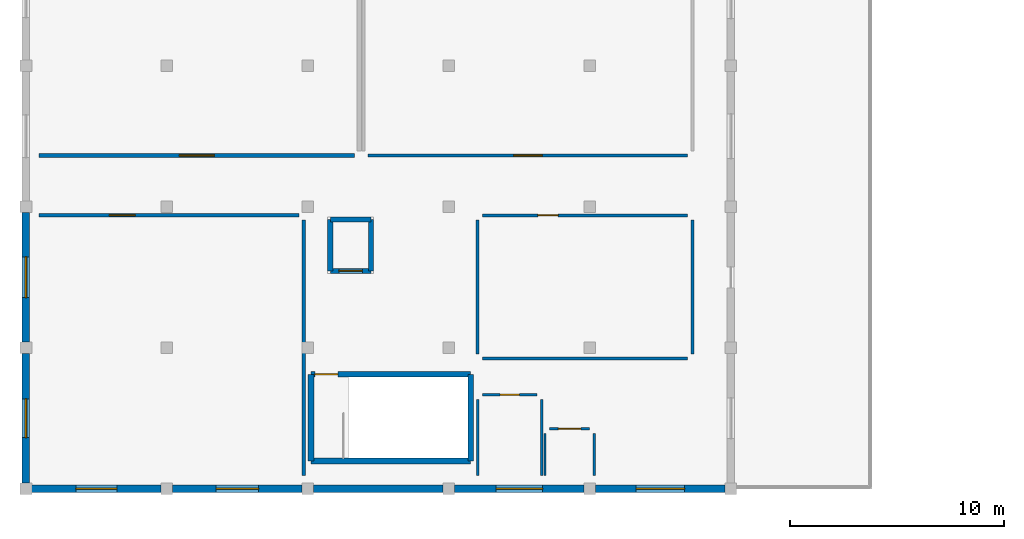
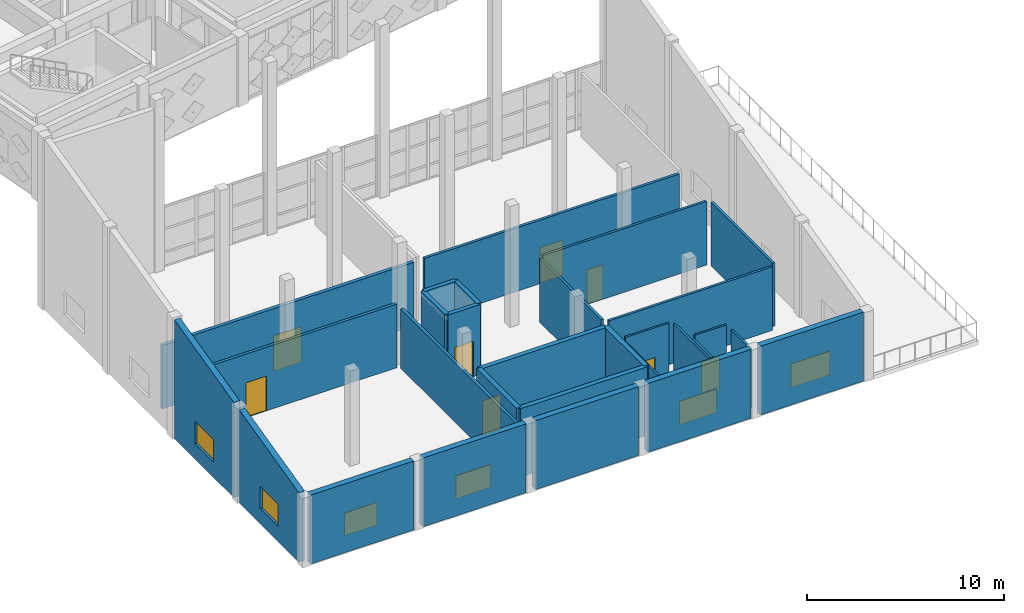
# One storey, part 27 of 39: 29 walls, 8 doors, 6 windows, 14 openings.
"""IFC4 building model written with IfcOpenShell, lengths in metres."""

from ifc_helpers import new_model, si_unit, direction, frame, frame_2d, origin, place, context, subcontext, project, spatial, polyline, rectangle, outline, extrude, material, layer, layer_set, type_object, element, fill, save


model = new_model("IFC4")

# Units and contexts
model_context = context("Model", 3, precision=1e-05, world=origin(), true_north=direction((0.0, 1.0)))
body_context = subcontext(model_context, "Body", "Model", "MODEL_VIEW")
ifc_project = project(units=[si_unit("LENGTHUNIT", "METRE"), si_unit("AREAUNIT", "SQUARE_METRE"), si_unit("VOLUMEUNIT", "CUBIC_METRE"), si_unit("PLANEANGLEUNIT", "RADIAN"), si_unit("MASSUNIT", "GRAM", prefix="KILO")], contexts=[model_context])

# Site, building, storey
site_placement = place(None, origin())
site = spatial("IfcSite", under=ifc_project, at=site_placement, CompositionType="ELEMENT")
building_placement = place(site_placement, origin())
building = spatial("IfcBuilding", under=site, at=building_placement, Name="Kharisveld Research Institute", CompositionType="ELEMENT")
storey_placement = place(building_placement, frame((0.0, 0.0, 18.60009765625)))
storey = spatial("IfcBuildingStorey", under=building, at=storey_placement, Name="L04", CompositionType="ELEMENT", Elevation=18.60009765625)

# Wall, opening, door
ifc_material_1 = material(Name="Flush Pharmaceutical Panel", Category="mineral")
ifc_layer_1 = layer(ifc_material_1, 0.155029296875)
ifc_layer_set_1 = layer_set([ifc_layer_1], Name="WL_CLN_155")
wall_type_1 = type_object("IfcWallType", Name="WL_CLN_155", PredefinedType="PARTITIONING", material=ifc_layer_set_1)
wall_1_placement = place(storey_placement, frame((16.6201171875, 15.800048828125, 0.0), z_axis=(0.0, 0.0, 1.0), x_axis=(1.0, 0.0, 0.0)))
wall_1 = element("IfcWall", 1, at=wall_1_placement, inside=storey, type_object=wall_type_1, Name="WL:RM:V3:L04:BSL:S", PredefinedType="PARTITIONING", context=body_context, shape_type="SweptSolid", body=[
    extrude(rectangle(XDim=14.9599609375, YDim=0.155029296875, at=frame_2d((7.47998046875, 0.0))), origin(), (0.0, 0.0, 1.0), 3.949951171875),
])
opening_1_placement = place(wall_1_placement, frame((6.81005859375, 0.0, 0.0)))
opening_1 = element("IfcOpeningElement", 2, at=opening_1_placement, cuts=wall_1, Name="Opening DI-297", PredefinedType="OPENING", context=body_context, shape_type="SweptSolid", body=[
    extrude(rectangle(XDim=1.340087890625, YDim=2.199951171875, at=frame_2d((0.669921875, 1.10009765625))), frame((0.0, 0.07763671875, 0.0), z_axis=(0.0, -1.0, 0.0), x_axis=(1.0, 0.0, 0.0)), (0.0, 0.0, 1.0), 0.155029296875),
])
ifc_material_2 = material(Name="Flush Painted Hardwood and Anodised Aluminium", Category="wood")
door_type_1 = type_object("IfcDoorType", Name="DR_CLN_134", OperationType="SLIDING_TO_RIGHT", PredefinedType="DOOR", material=ifc_material_2)
door_1_placement = place(opening_1_placement, origin())
door_1 = element("IfcDoor", 3, at=door_1_placement, inside=storey, type_object=door_type_1, Name="DR:RM:V3:L04:BSL:S", OperationType="SLIDING_TO_RIGHT", OverallHeight=2.199951171875, OverallWidth=1.340087890625, PredefinedType="DOOR", context=body_context, shape_type="SweptSolid", body=[
    extrude(rectangle(XDim=1.340087890625, YDim=2.199951171875, at=frame_2d((0.669921875, 1.10009765625))), frame((0.0, 0.02490234375, 0.0), z_axis=(0.0, -1.0, 0.0), x_axis=(1.0, 0.0, 0.0)), (0.0, 0.0, 1.0), 0.050048828125),
])
fill(opening_1, door_1)

# Walls
ifc_material_3 = material(Name="Concrete C40/50", Category="concrete")
ifc_layer_2 = layer(ifc_material_3, 0.239990234375)
ifc_layer_set_2 = layer_set([ifc_layer_2], Name="WL_CORE_240")
wall_type_2 = type_object("IfcWallType", Name="WL_CORE_240", PredefinedType="SHEAR", material=ifc_layer_set_2)
wall_2_placement = place(storey_placement, frame((14.85009765625, 10.39990234375, 0.0), z_axis=(0.0, 0.0, 1.0), x_axis=(0.0, 1.0, 0.0)))
element("IfcWall", 4, at=wall_2_placement, inside=storey, type_object=wall_type_2, Name="WL:LFT:PL-03:L04:W", PredefinedType="SHEAR", context=body_context, shape_type="SweptSolid", body=[
    extrude(rectangle(XDim=2.400146484375, YDim=0.239990234375, at=frame_2d((1.2001953125, 0.0))), origin(), (0.0, 0.0, 1.0), 4.349853515625),
])
wall_3_placement = place(storey_placement, frame((14.85009765625, 12.800048828125, 0.0), z_axis=(0.0, 0.0, 1.0), x_axis=(1.0, 0.0, 0.0)))
element("IfcWall", 5, at=wall_3_placement, inside=storey, type_object=wall_type_2, Name="WL:LFT:PL-03:L04:N", PredefinedType="SHEAR", context=body_context, shape_type="SweptSolid", body=[
    extrude(rectangle(XDim=1.89990234375, YDim=0.239990234375, at=frame_2d((0.949951171875, 0.0))), origin(), (0.0, 0.0, 1.0), 4.349853515625),
])
wall_4_placement = place(storey_placement, frame((16.75, 12.800048828125, 0.0), z_axis=(0.0, 0.0, 1.0), x_axis=(0.0, -1.0, 0.0)))
element("IfcWall", 6, at=wall_4_placement, inside=storey, type_object=wall_type_2, Name="WL:LFT:PL-03:L04:E", PredefinedType="SHEAR", context=body_context, shape_type="SweptSolid", body=[
    extrude(rectangle(XDim=2.400146484375, YDim=0.239990234375, at=frame_2d((1.2001953125, 0.0))), origin(), (0.0, 0.0, 1.0), 4.349853515625),
])

# Wall, opening, door
wall_5_placement = place(storey_placement, frame((16.75, 10.39990234375, 0.0), z_axis=(0.0, 0.0, 1.0), x_axis=(-1.0, 0.0, 0.0)))
wall_5 = element("IfcWall", 7, at=wall_5_placement, inside=storey, type_object=wall_type_2, Name="WL:LFT:PL-03:L04:S", PredefinedType="SHEAR", context=body_context, shape_type="SweptSolid", body=[
    extrude(rectangle(XDim=1.89990234375, YDim=0.239990234375, at=frame_2d((0.949951171875, 0.0))), origin(), (0.0, 0.0, 1.0), 4.349853515625),
])
opening_2_placement = place(wall_5_placement, frame((0.39990234375, 0.0, 0.0)))
opening_2 = element("IfcOpeningElement", 8, at=opening_2_placement, cuts=wall_5, Name="Opening LD-01", PredefinedType="OPENING", context=body_context, shape_type="SweptSolid", body=[
    extrude(rectangle(XDim=1.10009765625, YDim=2.199951171875, at=frame_2d((0.550048828125, 1.10009765625))), frame((0.0, 0.1201171875, 0.0), z_axis=(0.0, -1.0, 0.0), x_axis=(1.0, 0.0, 0.0)), (0.0, 0.0, 1.0), 0.239990234375),
])
ifc_material_4 = material(Name="Flush Painted Hardwood and Anodised Aluminium", Category="wood")
door_type_2 = type_object("IfcDoorType", Name="DR_LFT_110", OperationType="SLIDING_TO_LEFT", PredefinedType="DOOR", material=ifc_material_4)
door_2_placement = place(opening_2_placement, origin())
door_2 = element("IfcDoor", 9, at=door_2_placement, inside=storey, type_object=door_type_2, Name="PL-03 Lift Landing Door L04", OperationType="SLIDING_TO_LEFT", OverallHeight=2.199951171875, OverallWidth=1.10009765625, PredefinedType="DOOR", context=body_context, shape_type="SweptSolid", body=[
    extrude(rectangle(XDim=1.10009765625, YDim=2.199951171875, at=frame_2d((0.550048828125, 1.10009765625))), frame((0.0, 0.02490234375, 0.0), z_axis=(0.0, -1.0, 0.0), x_axis=(1.0, 0.0, 0.0)), (0.0, 0.0, 1.0), 0.050048828125),
])
fill(opening_2, door_2)

# Wall
ifc_material_5 = material(Name="Concrete C40/50", Category="concrete")
ifc_layer_3 = layer(ifc_material_5, 0.27001953125)
ifc_layer_set_3 = layer_set([ifc_layer_3], Name="WL_CORE_270")
wall_type_3 = type_object("IfcWallType", Name="WL_CORE_270", PredefinedType="SHEAR", material=ifc_layer_set_3)
wall_6_placement = place(storey_placement, frame((13.949951171875, 1.5, 0.0), z_axis=(0.0, 0.0, 1.0), x_axis=(0.0, 1.0, 0.0)))
element("IfcWall", 10, at=wall_6_placement, inside=storey, type_object=wall_type_3, Name="WL:STR:ST4:L04:W", PredefinedType="SHEAR", context=body_context, shape_type="SweptSolid", body=[
    extrude(rectangle(XDim=4.06005859375, YDim=0.27001953125, at=frame_2d((2.030029296875, 0.0))), origin(), (0.0, 0.0, 1.0), 4.25),
])

# Wall, opening, door
wall_7_placement = place(storey_placement, frame((13.949951171875, 5.56005859375, 0.0), z_axis=(0.0, 0.0, 1.0), x_axis=(1.0, 0.0, 0.0)))
wall_7 = element("IfcWall", 11, at=wall_7_placement, inside=storey, type_object=wall_type_3, Name="WL:STR:ST4:L04:N", PredefinedType="SHEAR", context=body_context, shape_type="SweptSolid", body=[
    extrude(rectangle(XDim=7.469970703125, YDim=0.27001953125, at=frame_2d((3.73486328125, 0.0))), origin(), (0.0, 0.0, 1.0), 4.25),
])
opening_3_placement = place(wall_7_placement, frame((0.179931640625, 0.0, 0.0)))
opening_3 = element("IfcOpeningElement", 12, at=opening_3_placement, cuts=wall_7, Name="Opening DS-041", PredefinedType="OPENING", context=body_context, shape_type="SweptSolid", body=[
    extrude(rectangle(XDim=1.080078125, YDim=2.14990234375, at=frame_2d((0.5400390625, 1.074951171875))), frame((0.0, 0.135009765625, 0.0), z_axis=(0.0, -1.0, 0.0), x_axis=(1.0, 0.0, 0.0)), (0.0, 0.0, 1.0), 0.27001953125),
])
ifc_material_6 = material(Name="Flush Painted Hardwood and Anodised Aluminium", Category="wood")
door_type_3 = type_object("IfcDoorType", Name="DR_FD60_108", OperationType="NOTDEFINED", PredefinedType="DOOR", material=ifc_material_6)
door_3_placement = place(opening_3_placement, origin())
door_3 = element("IfcDoor", 13, at=door_3_placement, inside=storey, type_object=door_type_3, Name="DR:STR:ST4:L04", OperationType="SINGLE_SWING_RIGHT", OverallHeight=2.14990234375, OverallWidth=1.080078125, PredefinedType="DOOR", context=body_context, shape_type="SweptSolid", body=[
    extrude(rectangle(XDim=1.080078125, YDim=2.14990234375, at=frame_2d((0.5400390625, 1.074951171875))), frame((0.0, 0.02490234375, 0.0), z_axis=(0.0, -1.0, 0.0), x_axis=(1.0, 0.0, 0.0)), (0.0, 0.0, 1.0), 0.050048828125),
])
fill(opening_3, door_3)

# Walls
wall_8_placement = place(storey_placement, frame((21.419921875, 5.56005859375, 0.0), z_axis=(0.0, 0.0, 1.0), x_axis=(0.0, -1.0, 0.0)))
element("IfcWall", 14, at=wall_8_placement, inside=storey, type_object=wall_type_3, Name="WL:STR:ST4:L04:E", PredefinedType="SHEAR", context=body_context, shape_type="SweptSolid", body=[
    extrude(rectangle(XDim=4.06005859375, YDim=0.27001953125, at=frame_2d((2.030029296875, 0.0))), origin(), (0.0, 0.0, 1.0), 4.25),
])
wall_9_placement = place(storey_placement, frame((21.419921875, 1.5, 0.0), z_axis=(0.0, 0.0, 1.0), x_axis=(-1.0, 0.0, 0.0)))
element("IfcWall", 15, at=wall_9_placement, inside=storey, type_object=wall_type_3, Name="WL:STR:ST4:L04:S", PredefinedType="SHEAR", context=body_context, shape_type="SweptSolid", body=[
    extrude(rectangle(XDim=7.469970703125, YDim=0.27001953125, at=frame_2d((3.73486328125, 0.0))), origin(), (0.0, 0.0, 1.0), 4.25),
])

# Wall, opening, window
ifc_material_7 = material(Name="Concrete C35/45", Category="concrete")
ifc_layer_4 = layer(ifc_material_7, 0.340087890625)
ifc_layer_set_4 = layer_set([ifc_layer_4], Name="WL_EXT_340")
wall_type_4 = type_object("IfcWallType", Name="WL_EXT_340", PredefinedType="SOLIDWALL", material=ifc_layer_set_4)
wall_10_placement = place(storey_placement, frame((0.60009765625, 0.469970703125, 0.0), z_axis=(0.0, 0.0, 1.0), x_axis=(0.0, 1.0, 0.0)))
wall_10 = element("IfcWall", 16, at=wall_10_placement, inside=storey, type_object=wall_type_4, Name="WL:V3:L04:W0", PredefinedType="SOLIDWALL", context=body_context, shape_type="SweptSolid", body=[
    extrude(outline(polyline([(0.0, 0.0), (6.06005859375, 0.0), (6.06005859375, 5.784423828125), (0.0, 4.3154296875), (0.0, 0.0)])), frame((0.0, 0.169921875, 0.0), z_axis=(0.0, -1.0, 0.0), x_axis=(1.0, 0.0, 0.0)), (0.0, 0.0, 1.0), 0.340087890625),
])
opening_4_placement = place(wall_10_placement, frame((2.1201171875, 0.0, 0.949951171875)))
opening_4 = element("IfcOpeningElement", 17, at=opening_4_placement, cuts=wall_10, Name="Opening WN-28", PredefinedType="OPENING", context=body_context, shape_type="SweptSolid", body=[
    extrude(rectangle(XDim=1.820068359375, YDim=1.3798828125, at=frame_2d((0.91015625, 0.68994140625))), frame((0.0, 0.169921875, 0.0), z_axis=(0.0, -1.0, 0.0), x_axis=(1.0, 0.0, 0.0)), (0.0, 0.0, 1.0), 0.340087890625),
])
ifc_material_8 = material(Name="Low-E Double Glazing", Category="glass")
window_type_1 = type_object("IfcWindowType", Name="WN_28", PartitioningType="DOUBLE_PANEL_VERTICAL", PredefinedType="WINDOW", material=ifc_material_8)
window_1_placement = place(opening_4_placement, origin())
window_1 = element("IfcWindow", 18, at=window_1_placement, inside=storey, type_object=window_type_1, Name="WN:V3:L04:W0", OverallHeight=1.3798828125, OverallWidth=1.820068359375, PartitioningType="SINGLE_PANEL", PredefinedType="WINDOW", context=body_context, shape_type="SweptSolid", body=[
    extrude(rectangle(XDim=1.820068359375, YDim=1.3798828125, at=frame_2d((0.91015625, 0.68994140625))), frame((0.0, 0.030029296875, 0.0), z_axis=(0.0, -1.0, 0.0), x_axis=(1.0, 0.0, 0.0)), (0.0, 0.0, 1.0), 0.06005859375),
])
fill(opening_4, window_1)

wall_11_placement = place(storey_placement, frame((0.60009765625, 7.070068359375, 0.0), z_axis=(0.0, 0.0, 1.0), x_axis=(0.0, 1.0, 0.0)))
wall_11 = element("IfcWall", 19, at=wall_11_placement, inside=storey, type_object=wall_type_4, Name="WL:V3:L04:W1", PredefinedType="SOLIDWALL", context=body_context, shape_type="SweptSolid", body=[
    extrude(outline(polyline([(0.0, 0.0), (6.059814453125, 0.0), (6.06005859375, 7.384521484375), (0.0, 5.915283203125), (0.0, 0.0)])), frame((0.0, 0.169921875, 0.0), z_axis=(0.0, -1.0, 0.0), x_axis=(1.0, 0.0, 0.0)), (0.0, 0.0, 1.0), 0.340087890625),
])
opening_5_placement = place(wall_11_placement, frame((2.074951171875, 0.0, 0.949951171875)))
opening_5 = element("IfcOpeningElement", 20, at=opening_5_placement, cuts=wall_11, Name="Opening WN-29", PredefinedType="OPENING", context=body_context, shape_type="SweptSolid", body=[
    extrude(rectangle(XDim=1.909912109375, YDim=1.39990234375, at=frame_2d((0.955078125, 0.699951171875))), frame((0.0, 0.169921875, 0.0), z_axis=(0.0, -1.0, 0.0), x_axis=(1.0, 0.0, 0.0)), (0.0, 0.0, 1.0), 0.340087890625),
])
ifc_material_9 = material(Name="Low-E Double Glazing", Category="glass")
window_type_2 = type_object("IfcWindowType", Name="WN_29", PartitioningType="DOUBLE_PANEL_VERTICAL", PredefinedType="WINDOW", material=ifc_material_9)
window_2_placement = place(opening_5_placement, origin())
window_2 = element("IfcWindow", 21, at=window_2_placement, inside=storey, type_object=window_type_2, Name="WN:V3:L04:W1", OverallHeight=1.39990234375, OverallWidth=1.909912109375, PartitioningType="SINGLE_PANEL", PredefinedType="WINDOW", context=body_context, shape_type="SweptSolid", body=[
    extrude(rectangle(XDim=1.909912109375, YDim=1.39990234375, at=frame_2d((0.955078125, 0.699951171875))), frame((0.0, 0.030029296875, 0.0), z_axis=(0.0, -1.0, 0.0), x_axis=(1.0, 0.0, 0.0)), (0.0, 0.0, 1.0), 0.06005859375),
])
fill(opening_5, window_2)

wall_12_placement = place(storey_placement, frame((33.330078125, 0.199951171875, 0.0), z_axis=(0.0, 0.0, 1.0), x_axis=(-1.0, 0.0, 0.0)))
wall_12 = element("IfcWall", 22, at=wall_12_placement, inside=storey, type_object=wall_type_4, Name="WL:V3:L04:S5", PredefinedType="SOLIDWALL", context=body_context, shape_type="SweptSolid", body=[
    extrude(rectangle(XDim=6.06005859375, YDim=0.340087890625, at=frame_2d((3.030029296875, 0.0))), origin(), (0.0, 0.0, 1.0), 4.27978515625),
])
opening_6_placement = place(wall_12_placement, frame((1.89501953125, 0.0, 0.949951171875)))
opening_6 = element("IfcOpeningElement", 23, at=opening_6_placement, cuts=wall_12, Name="Opening WN-33", PredefinedType="OPENING", context=body_context, shape_type="SweptSolid", body=[
    extrude(rectangle(XDim=2.27001953125, YDim=1.47998046875, at=frame_2d((1.135009765625, 0.739990234375))), frame((0.0, 0.169921875, 0.0), z_axis=(0.0, -1.0, 0.0), x_axis=(1.0, 0.0, 0.0)), (0.0, 0.0, 1.0), 0.340087890625),
])
ifc_material_10 = material(Name="Low-E Double Glazing", Category="glass")
window_type_3 = type_object("IfcWindowType", Name="WN_33", PartitioningType="DOUBLE_PANEL_VERTICAL", PredefinedType="WINDOW", material=ifc_material_10)
window_3_placement = place(opening_6_placement, origin())
window_3 = element("IfcWindow", 24, at=window_3_placement, inside=storey, type_object=window_type_3, Name="WN:V3:L04:S5", OverallHeight=1.47998046875, OverallWidth=2.27001953125, PartitioningType="SINGLE_PANEL", PredefinedType="WINDOW", context=body_context, shape_type="SweptSolid", body=[
    extrude(rectangle(XDim=2.27001953125, YDim=1.47998046875, at=frame_2d((1.135009765625, 0.739990234375))), frame((0.0, 0.030029296875, 0.0), z_axis=(0.0, -1.0, 0.0), x_axis=(1.0, 0.0, 0.0)), (0.0, 0.0, 1.0), 0.06005859375),
])
fill(opening_6, window_3)

wall_13_placement = place(storey_placement, frame((26.72998046875, 0.199951171875, 0.0), z_axis=(0.0, 0.0, 1.0), x_axis=(-1.0, 0.0, 0.0)))
wall_13 = element("IfcWall", 25, at=wall_13_placement, inside=storey, type_object=wall_type_4, Name="WL:V3:L04:S4", PredefinedType="SOLIDWALL", context=body_context, shape_type="SweptSolid", body=[
    extrude(rectangle(XDim=6.06005859375, YDim=0.340087890625, at=frame_2d((3.030029296875, 0.0))), origin(), (0.0, 0.0, 1.0), 4.27978515625),
])
opening_7_placement = place(wall_13_placement, frame((1.93994140625, 0.0, 0.949951171875)))
opening_7 = element("IfcOpeningElement", 26, at=opening_7_placement, cuts=wall_13, Name="Opening WN-32", PredefinedType="OPENING", context=body_context, shape_type="SweptSolid", body=[
    extrude(rectangle(XDim=2.179931640625, YDim=1.4599609375, at=frame_2d((1.08984375, 0.72998046875))), frame((0.0, 0.169921875, 0.0), z_axis=(0.0, -1.0, 0.0), x_axis=(1.0, 0.0, 0.0)), (0.0, 0.0, 1.0), 0.340087890625),
])
ifc_material_11 = material(Name="Low-E Double Glazing", Category="glass")
window_type_4 = type_object("IfcWindowType", Name="WN_32", PartitioningType="DOUBLE_PANEL_VERTICAL", PredefinedType="WINDOW", material=ifc_material_11)
window_4_placement = place(opening_7_placement, origin())
window_4 = element("IfcWindow", 27, at=window_4_placement, inside=storey, type_object=window_type_4, Name="WN:V3:L04:S4", OverallHeight=1.4599609375, OverallWidth=2.179931640625, PartitioningType="SINGLE_PANEL", PredefinedType="WINDOW", context=body_context, shape_type="SweptSolid", body=[
    extrude(rectangle(XDim=2.179931640625, YDim=1.4599609375, at=frame_2d((1.08984375, 0.72998046875))), frame((0.0, 0.030029296875, 0.0), z_axis=(0.0, -1.0, 0.0), x_axis=(1.0, 0.0, 0.0)), (0.0, 0.0, 1.0), 0.06005859375),
])
fill(opening_7, window_4)

# Wall
wall_14_placement = place(storey_placement, frame((20.1298828125, 0.199951171875, 0.0), z_axis=(0.0, 0.0, 1.0), x_axis=(-1.0, 0.0, 0.0)))
element("IfcWall", 28, at=wall_14_placement, inside=storey, type_object=wall_type_4, Name="WL:V3:L04:S3", PredefinedType="SOLIDWALL", context=body_context, shape_type="SweptSolid", body=[
    extrude(rectangle(XDim=6.059814453125, YDim=0.340087890625, at=frame_2d((3.02978515625, 0.0))), origin(), (0.0, 0.0, 1.0), 4.27978515625),
])

# Wall, opening, window
wall_15_placement = place(storey_placement, frame((13.530029296875, 0.199951171875, 0.0), z_axis=(0.0, 0.0, 1.0), x_axis=(-1.0, 0.0, 0.0)))
wall_15 = element("IfcWall", 29, at=wall_15_placement, inside=storey, type_object=wall_type_4, Name="WL:V3:L04:S2", PredefinedType="SOLIDWALL", context=body_context, shape_type="SweptSolid", body=[
    extrude(rectangle(XDim=6.06005859375, YDim=0.340087890625, at=frame_2d((3.030029296875, 0.0))), origin(), (0.0, 0.0, 1.0), 4.27978515625),
])
opening_8_placement = place(wall_15_placement, frame((2.030029296875, 0.0, 0.949951171875)))
opening_8 = element("IfcOpeningElement", 30, at=opening_8_placement, cuts=wall_15, Name="Opening WN-30", PredefinedType="OPENING", context=body_context, shape_type="SweptSolid", body=[
    extrude(rectangle(XDim=2.0, YDim=1.419921875, at=frame_2d((1.0, 0.7099609375))), frame((0.0, 0.169921875, 0.0), z_axis=(0.0, -1.0, 0.0), x_axis=(1.0, 0.0, 0.0)), (0.0, 0.0, 1.0), 0.340087890625),
])
ifc_material_12 = material(Name="Low-E Double Glazing", Category="glass")
window_type_5 = type_object("IfcWindowType", Name="WN_30", PartitioningType="DOUBLE_PANEL_VERTICAL", PredefinedType="WINDOW", material=ifc_material_12)
window_5_placement = place(opening_8_placement, origin())
window_5 = element("IfcWindow", 31, at=window_5_placement, inside=storey, type_object=window_type_5, Name="WN:V3:L04:S2", OverallHeight=1.419921875, OverallWidth=2.0, PartitioningType="SINGLE_PANEL", PredefinedType="WINDOW", context=body_context, shape_type="SweptSolid", body=[
    extrude(rectangle(XDim=2.0, YDim=1.419921875, at=frame_2d((1.0, 0.7099609375))), frame((0.0, 0.030029296875, 0.0), z_axis=(0.0, -1.0, 0.0), x_axis=(1.0, 0.0, 0.0)), (0.0, 0.0, 1.0), 0.06005859375),
])
fill(opening_8, window_5)

wall_16_placement = place(storey_placement, frame((6.929931640625, 0.199951171875, 0.0), z_axis=(0.0, 0.0, 1.0), x_axis=(-1.0, 0.0, 0.0)))
wall_16 = element("IfcWall", 32, at=wall_16_placement, inside=storey, type_object=wall_type_4, Name="WL:V3:L04:S1", PredefinedType="SOLIDWALL", context=body_context, shape_type="SweptSolid", body=[
    extrude(rectangle(XDim=6.059814453125, YDim=0.340087890625, at=frame_2d((3.02978515625, 0.0))), origin(), (0.0, 0.0, 1.0), 4.27978515625),
])
opening_9_placement = place(wall_16_placement, frame((2.074951171875, 0.0, 0.949951171875)))
opening_9 = element("IfcOpeningElement", 33, at=opening_9_placement, cuts=wall_16, Name="Opening WN-29", PredefinedType="OPENING", context=body_context, shape_type="SweptSolid", body=[
    extrude(rectangle(XDim=1.909912109375, YDim=1.39990234375, at=frame_2d((0.955078125, 0.699951171875))), frame((0.0, 0.169921875, 0.0), z_axis=(0.0, -1.0, 0.0), x_axis=(1.0, 0.0, 0.0)), (0.0, 0.0, 1.0), 0.340087890625),
])
window_6_placement = place(opening_9_placement, origin())
window_6 = element("IfcWindow", 34, at=window_6_placement, inside=storey, type_object=window_type_2, Name="WN:V3:L04:S1", OverallHeight=1.39990234375, OverallWidth=1.909912109375, PartitioningType="SINGLE_PANEL", PredefinedType="WINDOW", context=body_context, shape_type="SweptSolid", body=[
    extrude(rectangle(XDim=1.909912109375, YDim=1.39990234375, at=frame_2d((0.955078125, 0.699951171875))), frame((0.0, 0.030029296875, 0.0), z_axis=(0.0, -1.0, 0.0), x_axis=(1.0, 0.0, 0.0)), (0.0, 0.0, 1.0), 0.06005859375),
])
fill(opening_9, window_6)

# Wall
ifc_material_13 = material(Name="Acoustic Drywall Partition", Category="mineral")
ifc_layer_5 = layer(ifc_material_13, 0.1650390625)
ifc_layer_set_5 = layer_set([ifc_layer_5], Name="WL_LAB_165")
wall_type_5 = type_object("IfcWallType", Name="WL_LAB_165", PredefinedType="PARTITIONING", material=ifc_layer_set_5)
wall_17_placement = place(storey_placement, frame((13.60009765625, 0.820068359375, 0.0), z_axis=(0.0, 0.0, 1.0), x_axis=(0.0, 1.0, 0.0)))
element("IfcWall", 35, at=wall_17_placement, inside=storey, type_object=wall_type_5, Name="WL:RM:V3:L04:MET4:E", PredefinedType="PARTITIONING", context=body_context, shape_type="SweptSolid", body=[
    extrude(rectangle(XDim=11.9599609375, YDim=0.1650390625, at=frame_2d((5.97998046875, 0.0))), origin(), (0.0, 0.0, 1.0), 3.68994140625),
])

# Wall, opening, door
wall_18_placement = place(storey_placement, frame((13.3798828125, 13.0, 0.0), z_axis=(0.0, 0.0, 1.0), x_axis=(-1.0, 0.0, 0.0)))
wall_18 = element("IfcWall", 36, at=wall_18_placement, inside=storey, type_object=wall_type_5, Name="WL:RM:V3:L04:MET4:N", PredefinedType="PARTITIONING", context=body_context, shape_type="SweptSolid", body=[
    extrude(rectangle(XDim=12.159912109375, YDim=0.1650390625, at=frame_2d((6.080078125, 0.0))), origin(), (0.0, 0.0, 1.0), 3.949951171875),
])
opening_10_placement = place(wall_18_placement, frame((7.6650390625, 0.0, 0.0)))
opening_10 = element("IfcOpeningElement", 37, at=opening_10_placement, cuts=wall_18, Name="Opening DI-299", PredefinedType="OPENING", context=body_context, shape_type="SweptSolid", body=[
    extrude(rectangle(XDim=1.2099609375, YDim=2.159912109375, at=frame_2d((0.60498046875, 1.080078125))), frame((0.0, 0.08251953125, 0.0), z_axis=(0.0, -1.0, 0.0), x_axis=(1.0, 0.0, 0.0)), (0.0, 0.0, 1.0), 0.1650390625),
])
ifc_material_14 = material(Name="Flush Painted Hardwood and Anodised Aluminium", Category="wood")
door_type_4 = type_object("IfcDoorType", Name="DR_VAR_11", OperationType="NOTDEFINED", PredefinedType="DOOR", material=ifc_material_14)
door_4_placement = place(opening_10_placement, origin())
door_4 = element("IfcDoor", 38, at=door_4_placement, inside=storey, type_object=door_type_4, Name="DR:RM:V3:L04:MET4:N", OperationType="SINGLE_SWING_LEFT", OverallHeight=2.159912109375, OverallWidth=1.2099609375, PredefinedType="DOOR", context=body_context, shape_type="SweptSolid", body=[
    extrude(rectangle(XDim=1.2099609375, YDim=2.159912109375, at=frame_2d((0.60498046875, 1.080078125))), frame((0.0, 0.02490234375, 0.0), z_axis=(0.0, -1.0, 0.0), x_axis=(1.0, 0.0, 0.0)), (0.0, 0.0, 1.0), 0.050048828125),
])
fill(opening_10, door_4)

# Walls
ifc_material_15 = material(Name="Insulated Stud Partition", Category="mineral")
ifc_layer_6 = layer(ifc_material_15, 0.139892578125)
ifc_layer_set_6 = layer_set([ifc_layer_6], Name="WL_OFF_140")
wall_type_6 = type_object("IfcWallType", Name="WL_OFF_140", PredefinedType="PARTITIONING", material=ifc_layer_set_6)
wall_19_placement = place(storey_placement, frame((21.969970703125, 6.300048828125, 0.0), z_axis=(0.0, 0.0, 1.0), x_axis=(1.0, 0.0, 0.0)))
element("IfcWall", 39, at=wall_19_placement, inside=storey, type_object=wall_type_6, Name="WL:RM:V3:L04:LNG:S", PredefinedType="PARTITIONING", context=body_context, shape_type="SweptSolid", body=[
    extrude(rectangle(XDim=9.610107421875, YDim=0.139892578125, at=frame_2d((4.80517578125, 0.0))), origin(), (0.0, 0.0, 1.0), 3.949951171875),
])
wall_20_placement = place(storey_placement, frame((31.800048828125, 6.52001953125, 0.0), z_axis=(0.0, 0.0, 1.0), x_axis=(0.0, 1.0, 0.0)))
element("IfcWall", 40, at=wall_20_placement, inside=storey, type_object=wall_type_6, Name="WL:RM:V3:L04:LNG:E", PredefinedType="PARTITIONING", context=body_context, shape_type="SweptSolid", body=[
    extrude(rectangle(XDim=6.260009765625, YDim=0.139892578125, at=frame_2d((3.1298828125, 0.0))), origin(), (0.0, 0.0, 1.0), 3.949951171875),
])

# Wall, opening, door
wall_21_placement = place(storey_placement, frame((31.580078125, 13.0, 0.0), z_axis=(0.0, 0.0, 1.0), x_axis=(-1.0, 0.0, 0.0)))
wall_21 = element("IfcWall", 41, at=wall_21_placement, inside=storey, type_object=wall_type_6, Name="WL:RM:V3:L04:LNG:N", PredefinedType="PARTITIONING", context=body_context, shape_type="SweptSolid", body=[
    extrude(rectangle(XDim=9.610107421875, YDim=0.139892578125, at=frame_2d((4.80517578125, 0.0))), origin(), (0.0, 0.0, 1.0), 3.949951171875),
])
opening_11_placement = place(wall_21_placement, frame((6.069091796875, 0.0, 0.0)))
opening_11 = element("IfcOpeningElement", 42, at=opening_11_placement, cuts=wall_21, Name="Opening DI-298", PredefinedType="OPENING", context=body_context, shape_type="SweptSolid", body=[
    extrude(rectangle(XDim=0.93994140625, YDim=2.1201171875, at=frame_2d((0.469970703125, 1.06005859375))), frame((0.0, 0.06982421875, 0.0), z_axis=(0.0, -1.0, 0.0), x_axis=(1.0, 0.0, 0.0)), (0.0, 0.0, 1.0), 0.139892578125),
])
ifc_material_16 = material(Name="Flush Painted Hardwood and Anodised Aluminium", Category="wood")
door_type_5 = type_object("IfcDoorType", Name="DR_OFF_094", OperationType="NOTDEFINED", PredefinedType="DOOR", material=ifc_material_16)
door_5_placement = place(opening_11_placement, origin())
door_5 = element("IfcDoor", 43, at=door_5_placement, inside=storey, type_object=door_type_5, Name="DR:RM:V3:L04:LNG:N", OperationType="SINGLE_SWING_RIGHT", OverallHeight=2.1201171875, OverallWidth=0.93994140625, PredefinedType="DOOR", context=body_context, shape_type="SweptSolid", body=[
    extrude(rectangle(XDim=0.93994140625, YDim=2.1201171875, at=frame_2d((0.469970703125, 1.06005859375))), frame((0.0, 0.02490234375, 0.0), z_axis=(0.0, -1.0, 0.0), x_axis=(1.0, 0.0, 0.0)), (0.0, 0.0, 1.0), 0.050048828125),
])
fill(opening_11, door_5)

# Wall
wall_22_placement = place(storey_placement, frame((21.75, 12.780029296875, 0.0), z_axis=(0.0, 0.0, 1.0), x_axis=(0.0, -1.0, 0.0)))
element("IfcWall", 44, at=wall_22_placement, inside=storey, type_object=wall_type_6, Name="WL:RM:V3:L04:LNG:W", PredefinedType="PARTITIONING", context=body_context, shape_type="SweptSolid", body=[
    extrude(rectangle(XDim=6.260009765625, YDim=0.139892578125, at=frame_2d((3.1298828125, 0.0))), origin(), (0.0, 0.0, 1.0), 3.949951171875),
])

# Wall, opening, door
ifc_material_17 = material(Name="Concrete C35/45", Category="concrete")
ifc_layer_7 = layer(ifc_material_17, 0.199951171875)
ifc_layer_set_7 = layer_set([ifc_layer_7], Name="WL_SHF_200")
wall_type_7 = type_object("IfcWallType", Name="WL_SHF_200", PredefinedType="SOLIDWALL", material=ifc_layer_set_7)
wall_23_placement = place(storey_placement, frame((1.219970703125, 15.800048828125, 0.0), z_axis=(0.0, 0.0, 1.0), x_axis=(1.0, 0.0, 0.0)))
wall_23 = element("IfcWall", 45, at=wall_23_placement, inside=storey, type_object=wall_type_7, Name="WL:RM:V3:L04:PLN:S", PredefinedType="SOLIDWALL", context=body_context, shape_type="SweptSolid", body=[
    extrude(rectangle(XDim=14.760009765625, YDim=0.199951171875, at=frame_2d((7.3798828125, 0.0))), origin(), (0.0, 0.0, 1.0), 3.949951171875),
])
opening_12_placement = place(wall_23_placement, frame((6.56005859375, 0.0, 0.0)))
opening_12 = element("IfcOpeningElement", 46, at=opening_12_placement, cuts=wall_23, Name="Opening DI-296", PredefinedType="OPENING", context=body_context, shape_type="SweptSolid", body=[
    extrude(rectangle(XDim=1.639892578125, YDim=2.199951171875, at=frame_2d((0.81982421875, 1.10009765625))), frame((0.0, 0.10009765625, 0.0), z_axis=(0.0, -1.0, 0.0), x_axis=(1.0, 0.0, 0.0)), (0.0, 0.0, 1.0), 0.199951171875),
])
ifc_material_18 = material(Name="Flush Painted Hardwood and Anodised Aluminium", Category="wood")
door_type_6 = type_object("IfcDoorType", Name="DR_FD60_164", OperationType="DOUBLE_DOOR_SINGLE_SWING", PredefinedType="DOOR", material=ifc_material_18)
door_6_placement = place(opening_12_placement, origin())
door_6 = element("IfcDoor", 47, at=door_6_placement, inside=storey, type_object=door_type_6, Name="DR:RM:V3:L04:PLN:S", OperationType="DOUBLE_DOOR_SINGLE_SWING", OverallHeight=2.199951171875, OverallWidth=1.639892578125, PredefinedType="DOOR", context=body_context, shape_type="SweptSolid", body=[
    extrude(rectangle(XDim=1.639892578125, YDim=2.199951171875, at=frame_2d((0.81982421875, 1.10009765625))), frame((0.0, 0.02490234375, 0.0), z_axis=(0.0, -1.0, 0.0), x_axis=(1.0, 0.0, 0.0)), (0.0, 0.0, 1.0), 0.050048828125),
])
fill(opening_12, door_6)

# Wall
ifc_material_19 = material(Name="Moisture-Resistant Partition", Category="mineral")
ifc_layer_8 = layer(ifc_material_19, 0.114990234375)
ifc_layer_set_8 = layer_set([ifc_layer_8], Name="WL_WC_115")
wall_type_8 = type_object("IfcWallType", Name="WL_WC_115", PredefinedType="PARTITIONING", material=ifc_layer_set_8)
wall_24_placement = place(storey_placement, frame((24.75, 0.820068359375, 0.0), z_axis=(0.0, 0.0, 1.0), x_axis=(0.0, 1.0, 0.0)))
element("IfcWall", 48, at=wall_24_placement, inside=storey, type_object=wall_type_8, Name="WL:RM:V3:L04:WCM:E", PredefinedType="PARTITIONING", context=body_context, shape_type="SweptSolid", body=[
    extrude(rectangle(XDim=3.559814453125, YDim=0.114990234375, at=frame_2d((1.77978515625, 0.0))), origin(), (0.0, 0.0, 1.0), 3.949951171875),
])

# Wall, opening, door
wall_25_placement = place(storey_placement, frame((24.530029296875, 4.60009765625, 0.0), z_axis=(0.0, 0.0, 1.0), x_axis=(-1.0, 0.0, 0.0)))
wall_25 = element("IfcWall", 49, at=wall_25_placement, inside=storey, type_object=wall_type_8, Name="WL:RM:V3:L04:WCM:N", PredefinedType="PARTITIONING", context=body_context, shape_type="SweptSolid", body=[
    extrude(rectangle(XDim=2.56005859375, YDim=0.114990234375, at=frame_2d((1.280029296875, 0.0))), origin(), (0.0, 0.0, 1.0), 3.949951171875),
])
opening_13_placement = place(wall_25_placement, frame((0.830078125, 0.0, 0.0)))
opening_13 = element("IfcOpeningElement", 50, at=opening_13_placement, cuts=wall_25, Name="Opening DI-294", PredefinedType="OPENING", context=body_context, shape_type="SweptSolid", body=[
    extrude(rectangle(XDim=0.89990234375, YDim=2.10009765625, at=frame_2d((0.449951171875, 1.050048828125))), frame((0.0, 0.0576171875, 0.0), z_axis=(0.0, -1.0, 0.0), x_axis=(1.0, 0.0, 0.0)), (0.0, 0.0, 1.0), 0.114990234375),
])
ifc_material_20 = material(Name="Flush Painted Hardwood and Anodised Aluminium", Category="wood")
door_type_7 = type_object("IfcDoorType", Name="DR_WC_090", OperationType="NOTDEFINED", PredefinedType="DOOR", material=ifc_material_20)
door_7_placement = place(opening_13_placement, origin())
door_7 = element("IfcDoor", 51, at=door_7_placement, inside=storey, type_object=door_type_7, Name="DR:RM:V3:L04:WCM:N", OperationType="SINGLE_SWING_RIGHT", OverallHeight=2.10009765625, OverallWidth=0.89990234375, PredefinedType="DOOR", context=body_context, shape_type="SweptSolid", body=[
    extrude(rectangle(XDim=0.89990234375, YDim=2.10009765625, at=frame_2d((0.449951171875, 1.050048828125))), frame((0.0, 0.02490234375, 0.0), z_axis=(0.0, -1.0, 0.0), x_axis=(1.0, 0.0, 0.0)), (0.0, 0.0, 1.0), 0.050048828125),
])
fill(opening_13, door_7)

# Walls
wall_26_placement = place(storey_placement, frame((21.75, 4.3798828125, 0.0), z_axis=(0.0, 0.0, 1.0), x_axis=(0.0, -1.0, 0.0)))
element("IfcWall", 52, at=wall_26_placement, inside=storey, type_object=wall_type_8, Name="WL:RM:V3:L04:WCM:W", PredefinedType="PARTITIONING", context=body_context, shape_type="SweptSolid", body=[
    extrude(rectangle(XDim=3.559814453125, YDim=0.114990234375, at=frame_2d((1.77978515625, 0.0))), origin(), (0.0, 0.0, 1.0), 3.949951171875),
])
wall_27_placement = place(storey_placement, frame((27.199951171875, 0.820068359375, 0.0), z_axis=(0.0, 0.0, 1.0), x_axis=(0.0, 1.0, 0.0)))
element("IfcWall", 53, at=wall_27_placement, inside=storey, type_object=wall_type_8, Name="WL:RM:V3:L04:WCA:E", PredefinedType="PARTITIONING", context=body_context, shape_type="SweptSolid", body=[
    extrude(rectangle(XDim=1.9599609375, YDim=0.114990234375, at=frame_2d((0.97998046875, 0.0))), origin(), (0.0, 0.0, 1.0), 3.68994140625),
])

# Wall, opening, door
wall_28_placement = place(storey_placement, frame((26.97998046875, 3.0, 0.0), z_axis=(0.0, 0.0, 1.0), x_axis=(-1.0, 0.0, 0.0)))
wall_28 = element("IfcWall", 54, at=wall_28_placement, inside=storey, type_object=wall_type_8, Name="WL:RM:V3:L04:WCA:N", PredefinedType="PARTITIONING", context=body_context, shape_type="SweptSolid", body=[
    extrude(rectangle(XDim=1.85986328125, YDim=0.114990234375, at=frame_2d((0.929931640625, 0.0))), origin(), (0.0, 0.0, 1.0), 3.949951171875),
])
opening_14_placement = place(wall_28_placement, frame((0.39990234375, 0.0, 0.0)))
opening_14 = element("IfcOpeningElement", 55, at=opening_14_placement, cuts=wall_28, Name="Opening DI-295", PredefinedType="OPENING", context=body_context, shape_type="SweptSolid", body=[
    extrude(rectangle(XDim=1.06005859375, YDim=2.1201171875, at=frame_2d((0.530029296875, 1.06005859375))), frame((0.0, 0.0576171875, 0.0), z_axis=(0.0, -1.0, 0.0), x_axis=(1.0, 0.0, 0.0)), (0.0, 0.0, 1.0), 0.114990234375),
])
ifc_material_21 = material(Name="Flush Painted Hardwood and Anodised Aluminium", Category="wood")
door_type_8 = type_object("IfcDoorType", Name="DR_WCA_106", OperationType="NOTDEFINED", PredefinedType="DOOR", material=ifc_material_21)
door_8_placement = place(opening_14_placement, origin())
door_8 = element("IfcDoor", 56, at=door_8_placement, inside=storey, type_object=door_type_8, Name="DR:RM:V3:L04:WCA:N", OperationType="SINGLE_SWING_LEFT", OverallHeight=2.1201171875, OverallWidth=1.06005859375, PredefinedType="DOOR", context=body_context, shape_type="SweptSolid", body=[
    extrude(rectangle(XDim=1.06005859375, YDim=2.1201171875, at=frame_2d((0.530029296875, 1.06005859375))), frame((0.0, 0.02490234375, 0.0), z_axis=(0.0, -1.0, 0.0), x_axis=(1.0, 0.0, 0.0)), (0.0, 0.0, 1.0), 0.050048828125),
])
fill(opening_14, door_8)

# Wall
wall_29_placement = place(storey_placement, frame((24.89990234375, 2.780029296875, 0.0), z_axis=(0.0, 0.0, 1.0), x_axis=(0.0, -1.0, 0.0)))
element("IfcWall", 57, at=wall_29_placement, inside=storey, type_object=wall_type_8, Name="WL:RM:V3:L04:WCA:W", PredefinedType="PARTITIONING", context=body_context, shape_type="SweptSolid", body=[
    extrude(rectangle(XDim=1.9599609375, YDim=0.114990234375, at=frame_2d((0.97998046875, 0.0))), origin(), (0.0, 0.0, 1.0), 3.949951171875),
])

save(model, "model.ifc")
